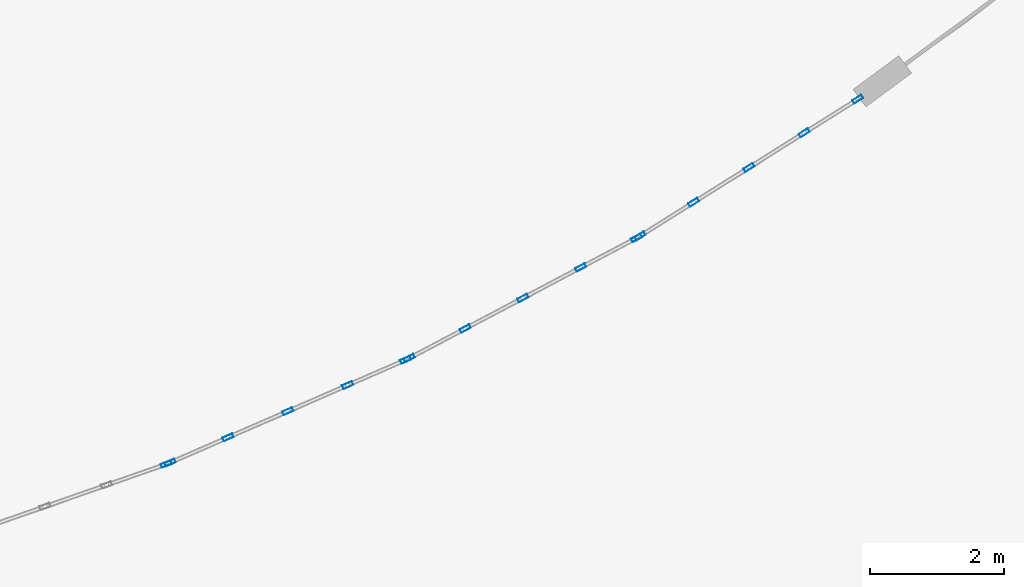
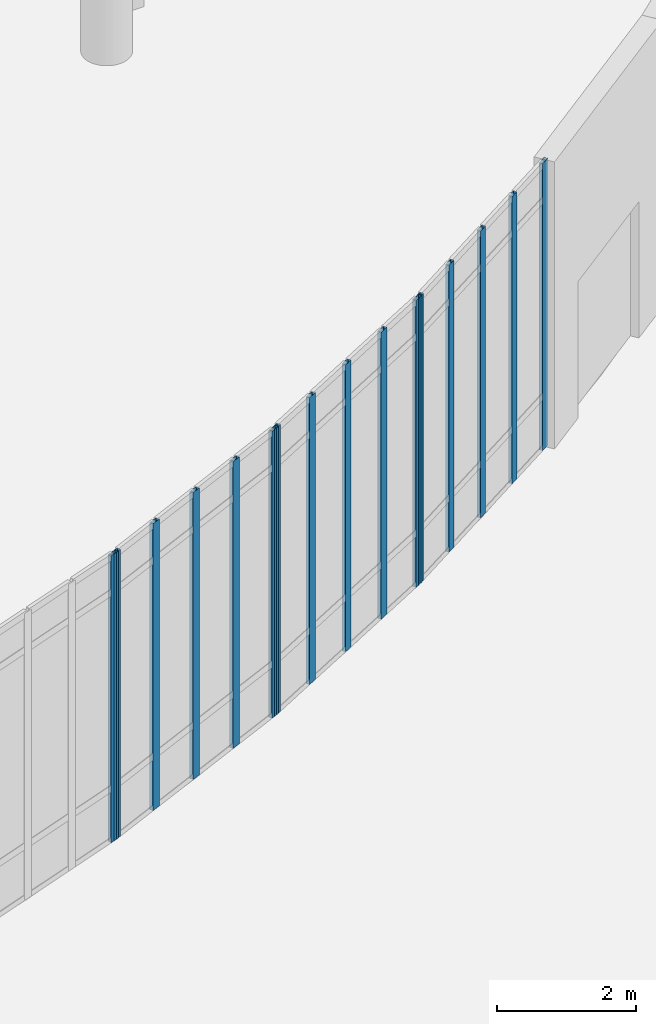
# One storey, part 24 of 110: 16 members, 4 elements without a shape of their own.
"""IFC4 building model written with IfcOpenShell, lengths in metres."""

from ifc_helpers import new_model, si_unit, direction, frame, origin, origin_2d, place, context, subcontext, project, spatial, hollow_rectangle, extrude, material, material_profile, profile_set, type_object, element, aggregate, save


model = new_model("IFC4")

# Units and contexts
model_context = context("Model", 3, precision=1e-05, world=origin(), true_north=direction((0.0, 1.0)))
body_context = subcontext(model_context, "Body", "Model", "MODEL_VIEW")
ifc_project = project(units=[si_unit("LENGTHUNIT", "METRE"), si_unit("AREAUNIT", "SQUARE_METRE"), si_unit("VOLUMEUNIT", "CUBIC_METRE"), si_unit("PLANEANGLEUNIT", "RADIAN"), si_unit("MASSUNIT", "GRAM", prefix="KILO")], contexts=[model_context])

# Site, building, storey
site_placement = place(None, origin())
site = spatial("IfcSite", under=ifc_project, at=site_placement, CompositionType="ELEMENT")
building_placement = place(site_placement, origin())
building = spatial("IfcBuilding", under=site, at=building_placement, Name="Kalluvel Institute of Natural Sciences", CompositionType="ELEMENT")
storey_placement = place(building_placement, origin())
storey = spatial("IfcBuildingStorey", under=building, at=storey_placement, Name="L00", CompositionType="ELEMENT", Elevation=0.0)

# Curtain wall, member
ifc_material = material(Name="Aluminium AW-6063 T6", Category="aluminium")
curtain_wall_type = type_object("IfcCurtainWallType", Name="CW-ATR-L00", PredefinedType="USERDEFINED", material=ifc_material)
curtain_wall_1_placement = place(storey_placement, origin())
curtain_wall_1 = element("IfcCurtainWall", 1, at=curtain_wall_1_placement, inside=storey, type_object=curtain_wall_type, Name="L00 Gothic lancet curtain wall CWA-L00-X509-Y531", ObjectType="UNITISED LANCET FACADE", PredefinedType="USERDEFINED")
ifc_material_profile = material_profile(ifc_material, hollow_rectangle(XDim=0.06005859375, YDim=0.159912109375, WallThickness=0.00390625, at=origin_2d()), Name="CWM 60x160")
ifc_profile_set = profile_set([ifc_material_profile], Name="Aluminium AW-6063 T6")
member_type = type_object("IfcMemberType", Name="CWM-60x160", PredefinedType="MULLION", material=ifc_profile_set)
member_1_placement = place(storey_placement, frame((54.5693359375, 54.384765625, 0.0), z_axis=(0.0, 0.0, 1.0), x_axis=(-0.330295441321, 0.943877598761, 0.0)))
member_1 = element("IfcMember", 2, at=member_1_placement, type_object=member_type, Name="CW-06 mullion 5", PredefinedType="MULLION", context=body_context, shape_type="SweptSolid", body=[
    extrude(hollow_rectangle(XDim=0.06005859375, YDim=0.159912109375, WallThickness=0.00390625, at=origin_2d()), origin(), (0.0, 0.0, 1.0), 5.050048828125),
])
aggregate(curtain_wall_1, [member_1])

# Curtain wall, members
curtain_wall_2_placement = place(storey_placement, origin())
curtain_wall_2 = element("IfcCurtainWall", 3, at=curtain_wall_2_placement, inside=storey, type_object=curtain_wall_type, Name="L00 Gothic lancet curtain wall CWA-L00-X546-Y544", ObjectType="UNITISED LANCET FACADE", PredefinedType="USERDEFINED")
member_2_placement = place(storey_placement, frame((54.625244140625, 54.406494140625, 0.0), z_axis=(0.0, 0.0, 1.0), x_axis=(-0.399872971829, 0.916570568151, 0.0)))
member_2 = element("IfcMember", 4, at=member_2_placement, type_object=member_type, Name="CW-06 mullion 1", PredefinedType="MULLION", context=body_context, shape_type="SweptSolid", body=[
    extrude(hollow_rectangle(XDim=0.06005859375, YDim=0.159912109375, WallThickness=0.00390625, at=origin_2d()), origin(), (0.0, 0.0, 1.0), 5.050048828125),
])
member_3_placement = place(storey_placement, frame((55.48876953125, 54.783447265625, 0.0), z_axis=(0.0, 0.0, 1.0), x_axis=(-0.399872971829, 0.916570568151, 0.0)))
member_3 = element("IfcMember", 5, at=member_3_placement, type_object=member_type, Name="CW-06 mullion 2", PredefinedType="MULLION", context=body_context, shape_type="SweptSolid", body=[
    extrude(hollow_rectangle(XDim=0.06005859375, YDim=0.159912109375, WallThickness=0.00390625, at=origin_2d()), origin(), (0.0, 0.0, 1.0), 5.050048828125),
])
member_4_placement = place(storey_placement, frame((56.3798828125, 55.172119140625, 0.0), z_axis=(0.0, 0.0, 1.0), x_axis=(-0.399872971829, 0.916570568151, 0.0)))
member_4 = element("IfcMember", 6, at=member_4_placement, type_object=member_type, Name="CW-06 mullion 3", PredefinedType="MULLION", context=body_context, shape_type="SweptSolid", body=[
    extrude(hollow_rectangle(XDim=0.06005859375, YDim=0.159912109375, WallThickness=0.00390625, at=origin_2d()), origin(), (0.0, 0.0, 1.0), 5.050048828125),
])
member_5_placement = place(storey_placement, frame((57.27099609375, 55.560791015625, 0.0), z_axis=(0.0, 0.0, 1.0), x_axis=(-0.399872971829, 0.916570568151, 0.0)))
member_5 = element("IfcMember", 7, at=member_5_placement, type_object=member_type, Name="CW-06 mullion 4", PredefinedType="MULLION", context=body_context, shape_type="SweptSolid", body=[
    extrude(hollow_rectangle(XDim=0.06005859375, YDim=0.159912109375, WallThickness=0.00390625, at=origin_2d()), origin(), (0.0, 0.0, 1.0), 5.050048828125),
])
member_6_placement = place(storey_placement, frame((58.134521484375, 55.9375, 0.0), z_axis=(0.0, 0.0, 1.0), x_axis=(-0.399872971829, 0.916570568151, 0.0)))
member_6 = element("IfcMember", 8, at=member_6_placement, type_object=member_type, Name="CW-06 mullion 5", PredefinedType="MULLION", context=body_context, shape_type="SweptSolid", body=[
    extrude(hollow_rectangle(XDim=0.06005859375, YDim=0.159912109375, WallThickness=0.00390625, at=origin_2d()), origin(), (0.0, 0.0, 1.0), 5.050048828125),
])
aggregate(curtain_wall_2, [member_2, member_3, member_4, member_5, member_6])

curtain_wall_3_placement = place(storey_placement, origin())
curtain_wall_3 = element("IfcCurtainWall", 9, at=curtain_wall_3_placement, inside=storey, type_object=curtain_wall_type, Name="L00 Gothic lancet curtain wall CWA-L00-X582-Y559", ObjectType="UNITISED LANCET FACADE", PredefinedType="USERDEFINED")
member_7_placement = place(storey_placement, frame((58.1884765625, 55.963623046875, 0.0), z_axis=(0.0, 0.0, 1.0), x_axis=(-0.467281482432, 0.884108599764, 0.0)))
member_7 = element("IfcMember", 10, at=member_7_placement, type_object=member_type, Name="CW-06 mullion 1", PredefinedType="MULLION", context=body_context, shape_type="SweptSolid", body=[
    extrude(hollow_rectangle(XDim=0.06005859375, YDim=0.159912109375, WallThickness=0.00390625, at=origin_2d()), origin(), (0.0, 0.0, 1.0), 5.050048828125),
])
member_8_placement = place(storey_placement, frame((59.021484375, 56.40380859375, 0.0), z_axis=(0.0, 0.0, 1.0), x_axis=(-0.467281482432, 0.884108599764, 0.0)))
member_8 = element("IfcMember", 11, at=member_8_placement, type_object=member_type, Name="CW-06 mullion 2", PredefinedType="MULLION", context=body_context, shape_type="SweptSolid", body=[
    extrude(hollow_rectangle(XDim=0.06005859375, YDim=0.159912109375, WallThickness=0.00390625, at=origin_2d()), origin(), (0.0, 0.0, 1.0), 5.050048828125),
])
member_9_placement = place(storey_placement, frame((59.881103515625, 56.858154296875, 0.0), z_axis=(0.0, 0.0, 1.0), x_axis=(-0.467281482432, 0.884108599764, 0.0)))
member_9 = element("IfcMember", 12, at=member_9_placement, type_object=member_type, Name="CW-06 mullion 3", PredefinedType="MULLION", context=body_context, shape_type="SweptSolid", body=[
    extrude(hollow_rectangle(XDim=0.06005859375, YDim=0.159912109375, WallThickness=0.00390625, at=origin_2d()), origin(), (0.0, 0.0, 1.0), 5.050048828125),
])
member_10_placement = place(storey_placement, frame((60.740478515625, 57.3125, 0.0), z_axis=(0.0, 0.0, 1.0), x_axis=(-0.467281482432, 0.884108599764, 0.0)))
member_10 = element("IfcMember", 13, at=member_10_placement, type_object=member_type, Name="CW-06 mullion 4", PredefinedType="MULLION", context=body_context, shape_type="SweptSolid", body=[
    extrude(hollow_rectangle(XDim=0.06005859375, YDim=0.159912109375, WallThickness=0.00390625, at=origin_2d()), origin(), (0.0, 0.0, 1.0), 5.050048828125),
])
member_11_placement = place(storey_placement, frame((61.573486328125, 57.752685546875, 0.0), z_axis=(0.0, 0.0, 1.0), x_axis=(-0.467281482432, 0.884108599764, 0.0)))
member_11 = element("IfcMember", 14, at=member_11_placement, type_object=member_type, Name="CW-06 mullion 5", PredefinedType="MULLION", context=body_context, shape_type="SweptSolid", body=[
    extrude(hollow_rectangle(XDim=0.06005859375, YDim=0.159912109375, WallThickness=0.00390625, at=origin_2d()), origin(), (0.0, 0.0, 1.0), 5.050048828125),
])
aggregate(curtain_wall_3, [member_7, member_8, member_9, member_10, member_11])

curtain_wall_4_placement = place(storey_placement, origin())
curtain_wall_4 = element("IfcCurtainWall", 15, at=curtain_wall_4_placement, inside=storey, type_object=curtain_wall_type, Name="L00 Gothic lancet curtain wall CWA-L00-X616-Y578", ObjectType="UNITISED LANCET FACADE", PredefinedType="USERDEFINED")
member_12_placement = place(storey_placement, frame((61.62548828125, 57.78271484375, 0.0), z_axis=(0.0, 0.0, 1.0), x_axis=(-0.532036187638, 0.846721616025, 0.0)))
member_12 = element("IfcMember", 16, at=member_12_placement, type_object=member_type, Name="CW-06 mullion 1", PredefinedType="MULLION", context=body_context, shape_type="SweptSolid", body=[
    extrude(hollow_rectangle(XDim=0.06005859375, YDim=0.159912109375, WallThickness=0.00390625, at=origin_2d()), origin(), (0.0, 0.0, 1.0), 5.050048828125),
])
member_13_placement = place(storey_placement, frame((62.423095703125, 58.283935546875, 0.0), z_axis=(0.0, 0.0, 1.0), x_axis=(-0.532036187638, 0.846721616025, 0.0)))
member_13 = element("IfcMember", 17, at=member_13_placement, type_object=member_type, Name="CW-06 mullion 2", PredefinedType="MULLION", context=body_context, shape_type="SweptSolid", body=[
    extrude(hollow_rectangle(XDim=0.06005859375, YDim=0.159912109375, WallThickness=0.00390625, at=origin_2d()), origin(), (0.0, 0.0, 1.0), 5.050048828125),
])
member_14_placement = place(storey_placement, frame((63.246337890625, 58.80126953125, 0.0), z_axis=(0.0, 0.0, 1.0), x_axis=(-0.532036187638, 0.846721616025, 0.0)))
member_14 = element("IfcMember", 18, at=member_14_placement, type_object=member_type, Name="CW-06 mullion 3", PredefinedType="MULLION", context=body_context, shape_type="SweptSolid", body=[
    extrude(hollow_rectangle(XDim=0.06005859375, YDim=0.159912109375, WallThickness=0.00390625, at=origin_2d()), origin(), (0.0, 0.0, 1.0), 5.050048828125),
])
member_15_placement = place(storey_placement, frame((64.0693359375, 59.318359375, 0.0), z_axis=(0.0, 0.0, 1.0), x_axis=(-0.532036187638, 0.846721616025, 0.0)))
member_15 = element("IfcMember", 19, at=member_15_placement, type_object=member_type, Name="CW-06 mullion 4", PredefinedType="MULLION", context=body_context, shape_type="SweptSolid", body=[
    extrude(hollow_rectangle(XDim=0.06005859375, YDim=0.159912109375, WallThickness=0.00390625, at=origin_2d()), origin(), (0.0, 0.0, 1.0), 5.050048828125),
])
member_16_placement = place(storey_placement, frame((64.8671875, 59.819580078125, 0.0), z_axis=(0.0, 0.0, 1.0), x_axis=(-0.532036187638, 0.846721616025, 0.0)))
member_16 = element("IfcMember", 20, at=member_16_placement, type_object=member_type, Name="CW-06 mullion 5", PredefinedType="MULLION", context=body_context, shape_type="SweptSolid", body=[
    extrude(hollow_rectangle(XDim=0.06005859375, YDim=0.159912109375, WallThickness=0.00390625, at=origin_2d()), origin(), (0.0, 0.0, 1.0), 5.050048828125),
])
aggregate(curtain_wall_4, [member_12, member_13, member_14, member_15, member_16])

save(model, "model.ifc")
